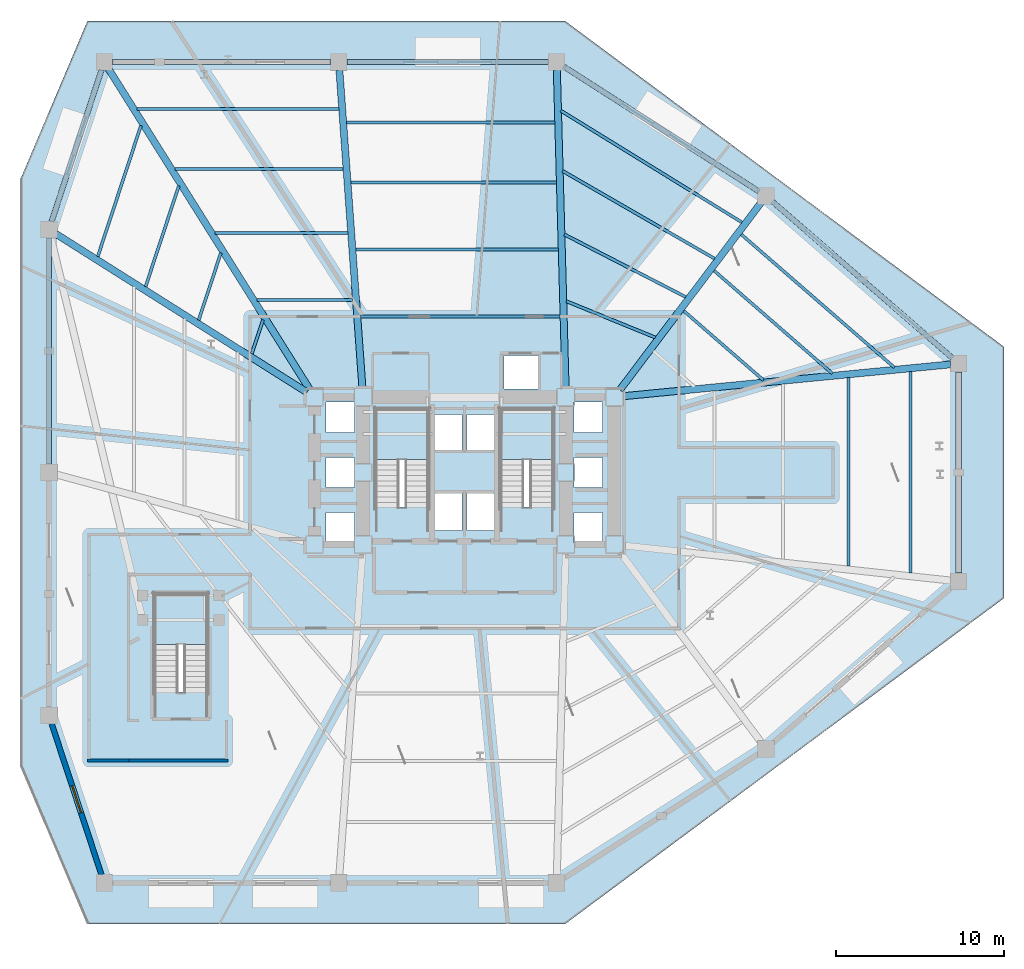
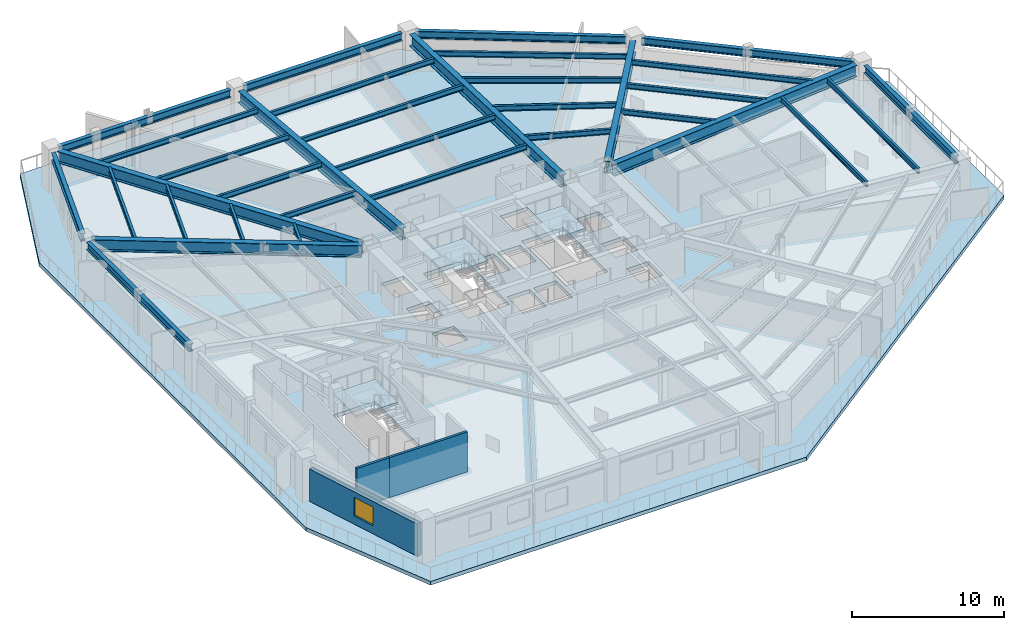
# One storey, part 2 of 10: 34 beams, 4 slabs, 3 walls, 1 window, 1 opening, 3 elements without a shape of their own.
"""IFC4 building model written with IfcOpenShell, lengths in metres."""

import ifcopenshell
import ifcopenshell.guid

model = None  # the IFC model being written
_history = None  # IfcOwnerHistory: only IFC2X3 demands one
_inside = {}  # id of a spatial element -> (the spatial element, [elements in it])
_under = {}  # id of a project, library or spatial element -> (it, [spatial elements below it])
_declared = {}  # id of a project -> (the project, [libraries it declares])
_typed = {}  # id of a type object -> (the type object, [elements of that type])
_made_of = {}  # id of a material, layer set ... -> (it, [elements and type objects made of it])


def new_model(schema):
    """Start an empty IFC model of exactly this schema.

    Asked for "IFC4X3", IfcOpenShell would pick the latest addendum, in which some entities
    have other attributes; the version numbers below select the first issue.
    IFC2X3 requires an IfcOwnerHistory on every rooted entity: one is made here for all.
    """
    global model, _history
    if schema == "IFC4X3":
        model = ifcopenshell.file(schema_version=(4, 3, 0, 0))
    else:
        model = ifcopenshell.file(schema=schema)
    _inside.clear()
    _under.clear()
    _declared.clear()
    _typed.clear()
    _made_of.clear()
    _history = None
    if model.schema == "IFC2X3":
        org = make("IfcOrganization", Name="unknown")
        user = make(
            "IfcPersonAndOrganization",
            ThePerson=make("IfcPerson", FamilyName="unknown"),
            TheOrganization=org,
        )
        app = make(
            "IfcApplication",
            ApplicationDeveloper=org,
            Version="unknown",
            ApplicationFullName="unknown",
            ApplicationIdentifier="unknown",
        )
        _history = make(
            "IfcOwnerHistory",
            OwningUser=user,
            OwningApplication=app,
            ChangeAction="ADDED",
            CreationDate=0,
        )
    return model


def make(cls, **values):
    """One entity of the class cls with the attributes given. An attribute that is None is left unset."""
    return model.create_entity(
        cls, **{name: value for name, value in values.items() if value is not None}
    )


def rooted(cls, **values):
    """An entity with a GlobalId (a new one), such as an element, a storey or a relation."""
    return make(cls, GlobalId=ifcopenshell.guid.new(), OwnerHistory=_history, **values)


def si_unit(unit_type, name, prefix=None):
    """IfcSIUnit, for example si_unit("LENGTHUNIT", "METRE", prefix="MILLI")."""
    return make("IfcSIUnit", UnitType=unit_type, Prefix=prefix, Name=name)


def assignment(units):
    """IfcUnitAssignment: the units of a project."""
    return None if units is None else make("IfcUnitAssignment", Units=units)


def point(xyz):
    """IfcCartesianPoint."""
    return None if xyz is None else make("IfcCartesianPoint", Coordinates=xyz)


def direction(xyz):
    """IfcDirection."""
    return None if xyz is None else make("IfcDirection", DirectionRatios=xyz)


def frame(location, z_axis=None, x_axis=None):
    """IfcAxis2Placement3D, a coordinate frame: its origin and axes. An axis left out is left unset."""
    return make(
        "IfcAxis2Placement3D",
        Location=point(location),
        Axis=direction(z_axis),
        RefDirection=direction(x_axis),
    )


def frame_2d(location, x_axis=None):
    """IfcAxis2Placement2D, a coordinate frame in the plane: its origin and x axis."""
    return make(
        "IfcAxis2Placement2D", Location=point(location), RefDirection=direction(x_axis)
    )


def origin():
    """The frame at (0, 0, 0) with its axes left unset."""
    return frame((0.0, 0.0, 0.0))


def origin_2d():
    """The frame at (0, 0) in the plane with its x axis left unset."""
    return frame_2d((0.0, 0.0))


def place(relative_to, where):
    """IfcLocalPlacement: puts the frame where relative to a parent placement (None: the world)."""
    return make(
        "IfcLocalPlacement", PlacementRelTo=relative_to, RelativePlacement=where
    )


def context(
    kind, dimensions, precision=None, world=None, true_north=None, identifier=None
):
    """IfcGeometricRepresentationContext, for example the 3D "Model" context."""
    return make(
        "IfcGeometricRepresentationContext",
        ContextIdentifier=identifier,
        ContextType=kind,
        CoordinateSpaceDimension=dimensions,
        Precision=precision,
        WorldCoordinateSystem=world,
        TrueNorth=true_north,
    )


def subcontext(parent, identifier, kind, view, scale=None):
    """IfcGeometricRepresentationSubContext, for example "Body" below "Model"."""
    return make(
        "IfcGeometricRepresentationSubContext",
        ContextIdentifier=identifier,
        ContextType=kind,
        ParentContext=parent,
        TargetScale=scale,
        TargetView=view,
    )


def project(units=None, contexts=None):
    """IfcProject with its units and contexts."""
    return rooted(
        "IfcProject",
        Name="project",
        RepresentationContexts=contexts,
        UnitsInContext=assignment(units),
    )


def spatial(cls, under=None, at=None, **own):
    """A site, building, storey or space (cls), placed at a placement, below another one or the project."""
    s = rooted(cls, ObjectPlacement=at, **own)
    if under is not None:
        _under.setdefault(under.id(), (under, []))[1].append(s)
    return s


def polyline(points):
    """IfcPolyline through the points."""
    return make("IfcPolyline", Points=[point(p) for p in points])


def profile(cls, at=None, kind="AREA", **sizes):
    """A parametric profile (cls). Its sizes go by their IFC names, for example OverallWidth=200.0."""
    return make(cls, ProfileType=kind, Position=at, **sizes)


def rectangle(**sizes):
    """IfcRectangleProfileDef."""
    return profile("IfcRectangleProfileDef", **sizes)


def i_section(**sizes):
    """IfcIShapeProfileDef."""
    return profile("IfcIShapeProfileDef", **sizes)


def outline(outer, holes=None, kind="AREA"):
    """IfcArbitraryClosedProfileDef: a profile drawn as a closed curve; with holes, ...WithVoids."""
    if holes is None:
        return make("IfcArbitraryClosedProfileDef", ProfileType=kind, OuterCurve=outer)
    return make(
        "IfcArbitraryProfileDefWithVoids",
        ProfileType=kind,
        OuterCurve=outer,
        InnerCurves=holes,
    )


def extrude(swept, where, along, depth):
    """IfcExtrudedAreaSolid: the profile swept, set in the frame where, extruded along a direction by depth."""
    return make(
        "IfcExtrudedAreaSolid",
        SweptArea=swept,
        Position=where,
        ExtrudedDirection=direction(along),
        Depth=depth,
    )


def shape(context_of_items, identifier, shape_type, items):
    """IfcShapeRepresentation: the items that make up one representation, for example the "Body"."""
    return make(
        "IfcShapeRepresentation",
        ContextOfItems=context_of_items,
        RepresentationIdentifier=identifier,
        RepresentationType=shape_type,
        Items=items,
    )


def material(Name=None, Category=None):
    """IfcMaterial."""
    return make("IfcMaterial", Name=Name, Category=Category)


def layer(
    of_material, thickness, ventilated=None, Name=None, Category=None, Priority=None
):
    """IfcMaterialLayer: one layer of a wall or slab, of a material (None: an air gap)."""
    return make(
        "IfcMaterialLayer",
        Material=of_material,
        LayerThickness=thickness,
        IsVentilated=ventilated,
        Name=Name,
        Category=Category,
        Priority=Priority,
    )


def layer_set(layers, Name=None):
    """IfcMaterialLayerSet."""
    return make("IfcMaterialLayerSet", MaterialLayers=layers, LayerSetName=Name)


def material_profile(
    of_material, cross_section, Name=None, Category=None, Priority=None
):
    """IfcMaterialProfile: a cross section and its material."""
    return make(
        "IfcMaterialProfile",
        Name=Name,
        Material=of_material,
        Profile=cross_section,
        Priority=Priority,
        Category=Category,
    )


def profile_set(profiles, Name=None, composite=None):
    """IfcMaterialProfileSet."""
    return make(
        "IfcMaterialProfileSet",
        Name=Name,
        MaterialProfiles=profiles,
        CompositeProfile=composite,
    )


def made_of(thing, what):
    """Note that an element or type object is made of a material, layer set ...; save() writes the relation."""
    if what is not None:
        _made_of.setdefault(what.id(), (what, []))[1].append(thing)
    return thing


def type_object(cls, material=None, **own):
    """A type object (cls), such as IfcWallType, which elements share."""
    return made_of(rooted(cls, **own), material)


def element(
    cls,
    number,
    at=None,
    inside=None,
    cuts=None,
    type_object=None,
    material=None,
    context=None,
    identifier="Body",
    shape_type=None,
    held_by="IfcProductDefinitionShape",
    body=None,
    shapes=None,
    **own,
):
    """One element of the class cls, such as IfcWall. Its Tag is "e" and its number.

    at: its placement. inside: the storey or other place that contains it. cuts: it is an
    opening in that element (IfcRelVoidsElement). A single representation is given by context,
    identifier, shape_type and body (its items); several are given by shapes. held_by: the class
    of the entity that holds the representations. save() writes the other relations.
    """
    e = rooted(cls, Tag="e%d" % number, ObjectPlacement=at, **own)
    if body is not None:
        shapes = [shape(context, identifier, shape_type, body)]
    if shapes is not None:
        e.Representation = make(held_by, Representations=shapes)
    if inside is not None:
        _inside.setdefault(inside.id(), (inside, []))[1].append(e)
    if cuts is not None:
        rooted(
            "IfcRelVoidsElement", RelatingBuildingElement=cuts, RelatedOpeningElement=e
        )
    if type_object is not None:
        _typed.setdefault(type_object.id(), (type_object, []))[1].append(e)
    return made_of(e, material)


def fill(opening, filler):
    """IfcRelFillsElement: the door or window that sits in an opening."""
    return rooted(
        "IfcRelFillsElement",
        RelatingOpeningElement=opening,
        RelatedBuildingElement=filler,
    )


def aggregate(whole, parts):
    """IfcRelAggregates: a whole, such as a stair, and the parts it consists of."""
    return rooted("IfcRelAggregates", RelatingObject=whole, RelatedObjects=parts)


def save(model, path):
    """Write the relations noted so far, then the file.

    IfcRelAggregates (storeys below a building ...), IfcRelContainedInSpatialStructure (elements
    in a storey), IfcRelDefinesByType, IfcRelAssociatesMaterial and IfcRelDeclares: one each for
    every whole, place, type object, material and project.
    """
    for whole, parts in _under.values():
        aggregate(whole, parts)
    for where, things in _inside.values():
        rooted(
            "IfcRelContainedInSpatialStructure",
            RelatedElements=things,
            RelatingStructure=where,
        )
    for kind, things in _typed.values():
        rooted("IfcRelDefinesByType", RelatedObjects=things, RelatingType=kind)
    for what, things in _made_of.values():
        rooted("IfcRelAssociatesMaterial", RelatedObjects=things, RelatingMaterial=what)
    for by, libraries in _declared.values():
        rooted("IfcRelDeclares", RelatingContext=by, RelatedDefinitions=libraries)
    model.write(path)


model = new_model("IFC4")

# Units and contexts
model_context = context("Model", 3, precision=1e-05, world=origin(), true_north=direction((0.0, 1.0)))
body_context = subcontext(model_context, "Body", "Model", "MODEL_VIEW")
ifc_project = project(units=[si_unit("LENGTHUNIT", "METRE"), si_unit("AREAUNIT", "SQUARE_METRE"), si_unit("VOLUMEUNIT", "CUBIC_METRE"), si_unit("PLANEANGLEUNIT", "RADIAN"), si_unit("MASSUNIT", "GRAM", prefix="KILO")], contexts=[model_context])

# Site, building, storey
site_placement = place(None, origin())
site = spatial("IfcSite", under=ifc_project, at=site_placement, CompositionType="ELEMENT")
building_placement = place(site_placement, origin())
building = spatial("IfcBuilding", under=site, at=building_placement, Name="Rocaltana Carrier Exchange", CompositionType="ELEMENT")
storey_placement = place(building_placement, frame((0.0, 0.0, 4.800048828125)))
storey = spatial("IfcBuildingStorey", under=building, at=storey_placement, Name="L02", CompositionType="ELEMENT", Elevation=4.800048828125)

# Beams
ifc_material_1 = material(Name="Steel S355", Category="steel")
ifc_material_profile_1 = material_profile(ifc_material_1, i_section(OverallWidth=0.179931640625, OverallDepth=0.4130859375, WebThickness=0.009765625, FlangeThickness=0.01611328125, FilletRadius=0.012939453125, at=origin_2d()), Name="W16X50")
ifc_profile_set_1 = profile_set([ifc_material_profile_1], Name="Steel S355")
beam_type_1 = type_object("IfcBeamType", Name="Floor Joist W16X50", PredefinedType="JOIST", material=ifc_profile_set_1)
beam_1_placement = place(storey_placement, frame((22.924072265625, -5.593017578125, 3.011474609375), z_axis=(0.0, 1.0, 0.0), x_axis=(-1.0, 0.0, 0.0)))
element("IfcBeam", 1, at=beam_1_placement, inside=storey, type_object=beam_type_1, Name="FJ-POD-04-3-L02", PredefinedType="JOIST", context=body_context, shape_type="SweptSolid", body=[
    extrude(i_section(OverallWidth=0.179931640625, OverallDepth=0.4130859375, WebThickness=0.009765625, FlangeThickness=0.01611328125, FilletRadius=0.012939453125, at=origin_2d()), origin(), (0.0, 0.0, 1.0), 11.25),
])
beam_2_placement = place(storey_placement, frame((26.623046875, -5.989013671875, 3.011474609375), z_axis=(0.0, 1.0, 0.0), x_axis=(-1.0, 0.0, 0.0)))
element("IfcBeam", 2, at=beam_2_placement, inside=storey, type_object=beam_type_1, Name="FJ-POD-04-4-L02", PredefinedType="JOIST", context=body_context, shape_type="SweptSolid", body=[
    extrude(i_section(OverallWidth=0.179931640625, OverallDepth=0.4130859375, WebThickness=0.009765625, FlangeThickness=0.01611328125, FilletRadius=0.012939453125, at=origin_2d()), origin(), (0.0, 0.0, 1.0), 12.006103515625),
])
beam_3_placement = place(storey_placement, frame((17.8388671875, 5.51318359375, 3.011474609375), z_axis=(-0.754611362598, 0.656171998364, 0.0), x_axis=(-0.656171998364, -0.754611362598, 0.0)))
element("IfcBeam", 3, at=beam_3_placement, inside=storey, type_object=beam_type_1, Name="FJ-POD-05-2-L02", PredefinedType="JOIST", context=body_context, shape_type="SweptSolid", body=[
    extrude(i_section(OverallWidth=0.179931640625, OverallDepth=0.4130859375, WebThickness=0.009765625, FlangeThickness=0.01611328125, FilletRadius=0.012939453125, at=origin_2d()), origin(), (0.0, 0.0, 1.0), 6.299560546875),
])
beam_4_placement = place(storey_placement, frame((21.94873046875, 5.9130859375, 3.011474609375), z_axis=(-0.75458752856, 0.656199406996, 0.0), x_axis=(-0.656199406996, -0.75458752856, 0.0)))
element("IfcBeam", 4, at=beam_4_placement, inside=storey, type_object=beam_type_1, Name="FJ-POD-05-3-L02", PredefinedType="JOIST", context=body_context, shape_type="SweptSolid", body=[
    extrude(i_section(OverallWidth=0.179931640625, OverallDepth=0.4130859375, WebThickness=0.009765625, FlangeThickness=0.01611328125, FilletRadius=0.012939453125, at=origin_2d()), origin(), (0.0, 0.0, 1.0), 9.347412109375),
])
beam_5_placement = place(storey_placement, frame((25.647705078125, 6.273193359375, 3.011474609375), z_axis=(-0.754602044397, 0.656182714335, 0.0), x_axis=(-0.656182714335, -0.754602044397, 0.0)))
element("IfcBeam", 5, at=beam_5_placement, inside=storey, type_object=beam_type_1, Name="FJ-POD-05-4-L02", PredefinedType="JOIST", context=body_context, shape_type="SweptSolid", body=[
    extrude(i_section(OverallWidth=0.179931640625, OverallDepth=0.4130859375, WebThickness=0.009765625, FlangeThickness=0.01611328125, FilletRadius=0.012939453125, at=origin_2d()), origin(), (0.0, 0.0, 1.0), 12.090576171875),
])
beam_6_placement = place(storey_placement, frame((11.38671875, 8.056640625, 3.011474609375), z_axis=(-0.925843082985, 0.377908170974, 0.0), x_axis=(-0.377908170974, -0.925843082985, 0.0)))
element("IfcBeam", 6, at=beam_6_placement, inside=storey, type_object=beam_type_1, Name="FJ-POD-06-1-L02", PredefinedType="JOIST", context=body_context, shape_type="SweptSolid", body=[
    extrude(i_section(OverallWidth=0.179931640625, OverallDepth=0.4130859375, WebThickness=0.009765625, FlangeThickness=0.01611328125, FilletRadius=0.012939453125, at=origin_2d()), origin(), (0.0, 0.0, 1.0), 5.733642578125),
])
beam_7_placement = place(storey_placement, frame((13.2041015625, 10.472900390625, 3.011474609375), z_axis=(-0.888834436329, 0.45822848536, 0.0), x_axis=(-0.45822848536, -0.888834436329, 0.0)))
element("IfcBeam", 7, at=beam_7_placement, inside=storey, type_object=beam_type_1, Name="FJ-POD-06-2-L02", PredefinedType="JOIST", context=body_context, shape_type="SweptSolid", body=[
    extrude(i_section(OverallWidth=0.179931640625, OverallDepth=0.4130859375, WebThickness=0.009765625, FlangeThickness=0.01611328125, FilletRadius=0.012939453125, at=origin_2d()), origin(), (0.0, 0.0, 1.0), 8.149169921875),
])
beam_8_placement = place(storey_placement, frame((14.92822265625, 12.761474609375, 3.011474609375), z_axis=(-0.866158045768, 0.499770186937, 0.0), x_axis=(-0.499770186937, -0.866158045768, 0.0)))
element("IfcBeam", 8, at=beam_8_placement, inside=storey, type_object=beam_type_1, Name="FJ-POD-06-3-L02", PredefinedType="JOIST", context=body_context, shape_type="SweptSolid", body=[
    extrude(i_section(OverallWidth=0.179931640625, OverallDepth=0.4130859375, WebThickness=0.009765625, FlangeThickness=0.01611328125, FilletRadius=0.012939453125, at=origin_2d()), origin(), (0.0, 0.0, 1.0), 10.47900390625),
])
beam_9_placement = place(storey_placement, frame((16.560302734375, 14.926513671875, 3.011474609375), z_axis=(-0.851153693572, 0.524916555196, 0.0), x_axis=(-0.524916555196, -0.851153693572, 0.0)))
element("IfcBeam", 9, at=beam_9_placement, inside=storey, type_object=beam_type_1, Name="FJ-POD-06-4-L02", PredefinedType="JOIST", context=body_context, shape_type="SweptSolid", body=[
    extrude(i_section(OverallWidth=0.179931640625, OverallDepth=0.4130859375, WebThickness=0.009765625, FlangeThickness=0.01611328125, FilletRadius=0.012939453125, at=origin_2d()), origin(), (0.0, 0.0, 1.0), 12.701171875),
])
beam_10_placement = place(storey_placement, frame((5.715087890625, 9.300048828125, 3.011474609375), z_axis=(-1.0, 0.0, 0.0), x_axis=(0.0, -1.0, 0.0)))
element("IfcBeam", 10, at=beam_10_placement, inside=storey, type_object=beam_type_1, Name="FJ-POD-07-1-L02", PredefinedType="JOIST", context=body_context, shape_type="SweptSolid", body=[
    extrude(i_section(OverallWidth=0.179931640625, OverallDepth=0.4130859375, WebThickness=0.009765625, FlangeThickness=0.01611328125, FilletRadius=0.012939453125, at=origin_2d()), origin(), (0.0, 0.0, 1.0), 11.91015625),
])
beam_11_placement = place(storey_placement, frame((5.60498046875, 13.300048828125, 3.011474609375), z_axis=(-1.0, 0.0, 0.0), x_axis=(0.0, -1.0, 0.0)))
element("IfcBeam", 11, at=beam_11_placement, inside=storey, type_object=beam_type_1, Name="FJ-POD-07-2-L02", PredefinedType="JOIST", context=body_context, shape_type="SweptSolid", body=[
    extrude(i_section(OverallWidth=0.179931640625, OverallDepth=0.4130859375, WebThickness=0.009765625, FlangeThickness=0.01611328125, FilletRadius=0.012939453125, at=origin_2d()), origin(), (0.0, 0.0, 1.0), 12.090087890625),
])
beam_12_placement = place(storey_placement, frame((5.4951171875, 17.300048828125, 3.011474609375), z_axis=(-1.0, 0.0, 0.0), x_axis=(0.0, -1.0, 0.0)))
element("IfcBeam", 12, at=beam_12_placement, inside=storey, type_object=beam_type_1, Name="FJ-POD-07-3-L02", PredefinedType="JOIST", context=body_context, shape_type="SweptSolid", body=[
    extrude(i_section(OverallWidth=0.179931640625, OverallDepth=0.4130859375, WebThickness=0.009765625, FlangeThickness=0.01611328125, FilletRadius=0.012939453125, at=origin_2d()), origin(), (0.0, 0.0, 1.0), 12.27001953125),
])
beam_13_placement = place(storey_placement, frame((5.39599609375, 20.89990234375, 3.011474609375), z_axis=(-1.0, 0.0, 0.0), x_axis=(0.0, -1.0, 0.0)))
element("IfcBeam", 13, at=beam_13_placement, inside=storey, type_object=beam_type_1, Name="FJ-POD-07-4-L02", PredefinedType="JOIST", context=body_context, shape_type="SweptSolid", body=[
    extrude(i_section(OverallWidth=0.179931640625, OverallDepth=0.4130859375, WebThickness=0.009765625, FlangeThickness=0.01611328125, FilletRadius=0.012939453125, at=origin_2d()), origin(), (0.0, 0.0, 1.0), 12.431884765625),
])
beam_14_placement = place(storey_placement, frame((-6.673583984375, 10.300048828125, 3.011474609375), z_axis=(-1.0, 0.0, 0.0), x_axis=(0.0, -1.0, 0.0)))
element("IfcBeam", 14, at=beam_14_placement, inside=storey, type_object=beam_type_1, Name="FJ-POD-08-1-L02", PredefinedType="JOIST", context=body_context, shape_type="SweptSolid", body=[
    extrude(i_section(OverallWidth=0.179931640625, OverallDepth=0.4130859375, WebThickness=0.009765625, FlangeThickness=0.01611328125, FilletRadius=0.012939453125, at=origin_2d()), origin(), (0.0, 0.0, 1.0), 5.712890625),
])
beam_15_placement = place(storey_placement, frame((-6.96337890625, 14.300048828125, 3.011474609375), z_axis=(-1.0, 0.0, 0.0), x_axis=(0.0, -1.0, 0.0)))
element("IfcBeam", 15, at=beam_15_placement, inside=storey, type_object=beam_type_1, Name="FJ-POD-08-2-L02", PredefinedType="JOIST", context=body_context, shape_type="SweptSolid", body=[
    extrude(i_section(OverallWidth=0.179931640625, OverallDepth=0.4130859375, WebThickness=0.009765625, FlangeThickness=0.01611328125, FilletRadius=0.012939453125, at=origin_2d()), origin(), (0.0, 0.0, 1.0), 7.93310546875),
])
beam_16_placement = place(storey_placement, frame((-7.239013671875, 18.10009765625, 3.011474609375), z_axis=(-1.0, 0.0, 0.0), x_axis=(0.0, -1.0, 0.0)))
element("IfcBeam", 16, at=beam_16_placement, inside=storey, type_object=beam_type_1, Name="FJ-POD-08-3-L02", PredefinedType="JOIST", context=body_context, shape_type="SweptSolid", body=[
    extrude(i_section(OverallWidth=0.179931640625, OverallDepth=0.4130859375, WebThickness=0.009765625, FlangeThickness=0.01611328125, FilletRadius=0.012939453125, at=origin_2d()), origin(), (0.0, 0.0, 1.0), 10.0419921875),
])
beam_17_placement = place(storey_placement, frame((-7.5, 21.699951171875, 3.011474609375), z_axis=(-1.0, 0.0, 0.0), x_axis=(0.0, -1.0, 0.0)))
element("IfcBeam", 17, at=beam_17_placement, inside=storey, type_object=beam_type_1, Name="FJ-POD-08-4-L02", PredefinedType="JOIST", context=body_context, shape_type="SweptSolid", body=[
    extrude(i_section(OverallWidth=0.179931640625, OverallDepth=0.4130859375, WebThickness=0.009765625, FlangeThickness=0.01611328125, FilletRadius=0.012939453125, at=origin_2d()), origin(), (0.0, 0.0, 1.0), 12.0400390625),
])
beam_18_placement = place(storey_placement, frame((-12.025634765625, 9.107177734375, 3.011474609375), z_axis=(-0.313395098314, -0.949622826365, 0.0), x_axis=(0.949622826365, -0.313395098314, 0.0)))
element("IfcBeam", 18, at=beam_18_placement, inside=storey, type_object=beam_type_1, Name="FJ-POD-09-1-L02", PredefinedType="JOIST", context=body_context, shape_type="SweptSolid", body=[
    extrude(i_section(OverallWidth=0.179931640625, OverallDepth=0.4130859375, WebThickness=0.009765625, FlangeThickness=0.01611328125, FilletRadius=0.012939453125, at=origin_2d()), origin(), (0.0, 0.0, 1.0), 2.121337890625),
])
beam_19_placement = place(storey_placement, frame((-14.53564453125, 13.107177734375, 3.011474609375), z_axis=(-0.313367558739, -0.949631914549, 0.0), x_axis=(0.949631914549, -0.313367558739, 0.0)))
element("IfcBeam", 19, at=beam_19_placement, inside=storey, type_object=beam_type_1, Name="FJ-POD-09-2-L02", PredefinedType="JOIST", context=body_context, shape_type="SweptSolid", body=[
    extrude(i_section(OverallWidth=0.179931640625, OverallDepth=0.4130859375, WebThickness=0.009765625, FlangeThickness=0.01611328125, FilletRadius=0.012939453125, at=origin_2d()), origin(), (0.0, 0.0, 1.0), 4.227294921875),
])
beam_20_placement = place(storey_placement, frame((-17.045654296875, 17.107177734375, 3.011474609375), z_axis=(-0.313393097124, -0.949623486796, 0.0), x_axis=(0.949623486796, -0.313393097124, 0.0)))
element("IfcBeam", 20, at=beam_20_placement, inside=storey, type_object=beam_type_1, Name="FJ-POD-09-3-L02", PredefinedType="JOIST", context=body_context, shape_type="SweptSolid", body=[
    extrude(i_section(OverallWidth=0.179931640625, OverallDepth=0.4130859375, WebThickness=0.009765625, FlangeThickness=0.01611328125, FilletRadius=0.012939453125, at=origin_2d()), origin(), (0.0, 0.0, 1.0), 6.33349609375),
])
beam_21_placement = place(storey_placement, frame((-19.3046875, 20.707275390625, 3.011474609375), z_axis=(-0.313360330933, -0.949634299611, 0.0), x_axis=(0.949634299611, -0.313360330933, 0.0)))
element("IfcBeam", 21, at=beam_21_placement, inside=storey, type_object=beam_type_1, Name="FJ-POD-09-4-L02", PredefinedType="JOIST", context=body_context, shape_type="SweptSolid", body=[
    extrude(i_section(OverallWidth=0.179931640625, OverallDepth=0.4130859375, WebThickness=0.009765625, FlangeThickness=0.01611328125, FilletRadius=0.012939453125, at=origin_2d()), origin(), (0.0, 0.0, 1.0), 8.22900390625),
])
ifc_material_2 = material(Name="Steel S355", Category="steel")
ifc_material_profile_2 = material_profile(ifc_material_2, i_section(OverallWidth=0.41796875, OverallDepth=0.927001953125, WebThickness=0.019287109375, FlangeThickness=0.031982421875, FilletRadius=0.02197265625, at=origin_2d()), Name="W36X231")
ifc_profile_set_2 = profile_set([ifc_material_profile_2], Name="Steel S355")
beam_type_2 = type_object("IfcBeamType", Name="Heavy Floor Girder W36X231", PredefinedType="BEAM", material=ifc_profile_set_2)
beam_22_placement = place(storey_placement, frame((9.489501953125, 4.552490234375, 2.75439453125), z_axis=(0.995297082443, 0.0968695911, 0.0), x_axis=(-0.0968695911, 0.995297082443, 0.0)))
element("IfcBeam", 22, at=beam_22_placement, inside=storey, type_object=beam_type_2, Name="BM-PODG-06-L02", PredefinedType="BEAM", context=body_context, shape_type="SweptSolid", body=[
    extrude(i_section(OverallWidth=0.41796875, OverallDepth=0.927001953125, WebThickness=0.019287109375, FlangeThickness=0.031982421875, FilletRadius=0.02197265625, at=origin_2d()), origin(), (0.0, 0.0, 1.0), 19.613037109375),
])
beam_23_placement = place(storey_placement, frame((9.2763671875, 4.9326171875, 2.75439453125), z_axis=(0.602127359797, 0.798400051718, 0.0), x_axis=(-0.798400051718, 0.602127359797, 0.0)))
element("IfcBeam", 23, at=beam_23_placement, inside=storey, type_object=beam_type_2, Name="BM-PODG-07-L02", PredefinedType="BEAM", context=body_context, shape_type="SweptSolid", body=[
    extrude(i_section(OverallWidth=0.41796875, OverallDepth=0.927001953125, WebThickness=0.019287109375, FlangeThickness=0.031982421875, FilletRadius=0.02197265625, at=origin_2d()), origin(), (0.0, 0.0, 1.0), 13.99609375),
])
beam_24_placement = place(storey_placement, frame((6.03515625, 5.041748046875, 2.75439453125), z_axis=(-0.027497418433, 0.9996218745, 0.0), x_axis=(-0.9996218745, -0.027497418433, 0.0)))
element("IfcBeam", 24, at=beam_24_placement, inside=storey, type_object=beam_type_2, Name="BM-PODG-08-L02", PredefinedType="BEAM", context=body_context, shape_type="SweptSolid", body=[
    extrude(i_section(OverallWidth=0.41796875, OverallDepth=0.927001953125, WebThickness=0.019287109375, FlangeThickness=0.031982421875, FilletRadius=0.02197265625, at=origin_2d()), origin(), (0.0, 0.0, 1.0), 18.9736328125),
])
beam_25_placement = place(storey_placement, frame((-6.089111328125, 5.04052734375, 2.75439453125), z_axis=(-0.072310719598, 0.997382153355, 0.0), x_axis=(-0.997382153355, -0.072310719598, 0.0)))
element("IfcBeam", 25, at=beam_25_placement, inside=storey, type_object=beam_type_2, Name="BM-PODG-09-L02", PredefinedType="BEAM", context=body_context, shape_type="SweptSolid", body=[
    extrude(i_section(OverallWidth=0.41796875, OverallDepth=0.927001953125, WebThickness=0.019287109375, FlangeThickness=0.031982421875, FilletRadius=0.02197265625, at=origin_2d()), origin(), (0.0, 0.0, 1.0), 19.0185546875),
])
beam_26_placement = place(storey_placement, frame((-9.238037109375, 4.958984375, 2.75439453125), z_axis=(-0.531521193094, 0.847044993665, 0.0), x_axis=(-0.847044993665, -0.531521193094, 0.0)))
element("IfcBeam", 26, at=beam_26_placement, inside=storey, type_object=beam_type_2, Name="BM-PODG-10-L02", PredefinedType="BEAM", context=body_context, shape_type="SweptSolid", body=[
    extrude(i_section(OverallWidth=0.41796875, OverallDepth=0.927001953125, WebThickness=0.019287109375, FlangeThickness=0.031982421875, FilletRadius=0.02197265625, at=origin_2d()), origin(), (0.0, 0.0, 1.0), 22.57763671875),
])
beam_27_placement = place(storey_placement, frame((-9.408447265625, 4.789306640625, 2.75439453125), z_axis=(-0.845740432833, 0.533594527962, 0.0), x_axis=(-0.533594527962, -0.845740432833, 0.0)))
element("IfcBeam", 27, at=beam_27_placement, inside=storey, type_object=beam_type_2, Name="BM-PODG-11-L02", PredefinedType="BEAM", context=body_context, shape_type="SweptSolid", body=[
    extrude(i_section(OverallWidth=0.41796875, OverallDepth=0.927001953125, WebThickness=0.019287109375, FlangeThickness=0.031982421875, FilletRadius=0.02197265625, at=origin_2d()), origin(), (0.0, 0.0, 1.0), 17.706787109375),
])
ifc_material_3 = material(Name="Steel S355", Category="steel")
ifc_material_profile_3 = material_profile(ifc_material_3, i_section(OverallWidth=0.300048828125, OverallDepth=0.60009765625, WebThickness=0.015380859375, FlangeThickness=0.030029296875, FilletRadius=0.027099609375, at=origin_2d()), Name="HEB600")
ifc_profile_set_3 = profile_set([ifc_material_profile_3], Name="Steel S355")
beam_type_3 = type_object("IfcBeamType", Name="Spandrel Edge Beam HEB600", PredefinedType="SPANDREL", material=ifc_profile_set_3)
beam_28_placement = place(storey_placement, frame((29.5, -6.008056640625, 2.91796875), z_axis=(0.0, 1.0, 0.0), x_axis=(-1.0, 0.0, 0.0)))
element("IfcBeam", 28, at=beam_28_placement, inside=storey, type_object=beam_type_3, Name="BM-PODR-05-L02", PredefinedType="SPANDREL", context=body_context, shape_type="SweptSolid", body=[
    extrude(i_section(OverallWidth=0.300048828125, OverallDepth=0.60009765625, WebThickness=0.015380859375, FlangeThickness=0.030029296875, FilletRadius=0.027099609375, at=origin_2d()), origin(), (0.0, 0.0, 1.0), 12.01611328125),
])
beam_29_placement = place(storey_placement, frame((29.128662109375, 6.82275390625, 2.91796875), z_axis=(-0.754595198685, 0.656190586737, 0.0), x_axis=(-0.656190586737, -0.754595198685, 0.0)))
element("IfcBeam", 29, at=beam_29_placement, inside=storey, type_object=beam_type_3, Name="BM-PODR-06-L02", PredefinedType="SPANDREL", context=body_context, shape_type="SweptSolid", body=[
    extrude(i_section(OverallWidth=0.300048828125, OverallDepth=0.60009765625, WebThickness=0.015380859375, FlangeThickness=0.030029296875, FilletRadius=0.027099609375, at=origin_2d()), origin(), (0.0, 0.0, 1.0), 14.255859375),
])
beam_30_placement = place(storey_placement, frame((17.585693359375, 16.76513671875, 2.91796875), z_axis=(-0.842270120768, 0.539055696252, 0.0), x_axis=(-0.539055696252, -0.842270120768, 0.0)))
element("IfcBeam", 30, at=beam_30_placement, inside=storey, type_object=beam_type_3, Name="BM-PODR-07-L02", PredefinedType="SPANDREL", context=body_context, shape_type="SweptSolid", body=[
    extrude(i_section(OverallWidth=0.300048828125, OverallDepth=0.60009765625, WebThickness=0.015380859375, FlangeThickness=0.030029296875, FilletRadius=0.027099609375, at=origin_2d()), origin(), (0.0, 0.0, 1.0), 13.857177734375),
])
beam_31_placement = place(storey_placement, frame((5.008056640625, 24.5, 2.91796875), z_axis=(-1.0, 0.0, 0.0), x_axis=(0.0, -1.0, 0.0)))
element("IfcBeam", 31, at=beam_31_placement, inside=storey, type_object=beam_type_3, Name="BM-PODR-08-L02", PredefinedType="SPANDREL", context=body_context, shape_type="SweptSolid", body=[
    extrude(i_section(OverallWidth=0.300048828125, OverallDepth=0.60009765625, WebThickness=0.015380859375, FlangeThickness=0.030029296875, FilletRadius=0.027099609375, at=origin_2d()), origin(), (0.0, 0.0, 1.0), 12.01611328125),
])
beam_32_placement = place(storey_placement, frame((-7.991943359375, 24.5, 2.91796875), z_axis=(-1.0, 0.0, 0.0), x_axis=(0.0, -1.0, 0.0)))
element("IfcBeam", 32, at=beam_32_placement, inside=storey, type_object=beam_type_3, Name="BM-PODR-09-L02", PredefinedType="SPANDREL", context=body_context, shape_type="SweptSolid", body=[
    extrude(i_section(OverallWidth=0.300048828125, OverallDepth=0.60009765625, WebThickness=0.015380859375, FlangeThickness=0.030029296875, FilletRadius=0.027099609375, at=origin_2d()), origin(), (0.0, 0.0, 1.0), 13.01611328125),
])
beam_33_placement = place(storey_placement, frame((-21.654296875, 24.03271484375, 2.91796875), z_axis=(-0.313364538918, -0.94963291105, 0.0), x_axis=(0.94963291105, -0.313364538918, 0.0)))
element("IfcBeam", 33, at=beam_33_placement, inside=storey, type_object=beam_type_3, Name="BM-PODR-10-L02", PredefinedType="SPANDREL", context=body_context, shape_type="SweptSolid", body=[
    extrude(i_section(OverallWidth=0.300048828125, OverallDepth=0.60009765625, WebThickness=0.015380859375, FlangeThickness=0.030029296875, FilletRadius=0.027099609375, at=origin_2d()), origin(), (0.0, 0.0, 1.0), 9.546142578125),
])
beam_34_placement = place(storey_placement, frame((-24.800048828125, 14.008056640625, 2.91796875), z_axis=(0.0, -1.0, 0.0), x_axis=(1.0, 0.0, 0.0)))
element("IfcBeam", 34, at=beam_34_placement, inside=storey, type_object=beam_type_3, Name="BM-PODR-11-L02", PredefinedType="SPANDREL", context=body_context, shape_type="SweptSolid", body=[
    extrude(i_section(OverallWidth=0.300048828125, OverallDepth=0.60009765625, WebThickness=0.015380859375, FlangeThickness=0.030029296875, FilletRadius=0.027099609375, at=origin_2d()), origin(), (0.0, 0.0, 1.0), 13.51611328125),
])

# Slab
ifc_material_4 = material(Name="Concrete C60/75", Category="concrete")
ifc_layer_1 = layer(ifc_material_4, 0.300048828125)
ifc_layer_set_1 = layer_set([ifc_layer_1], Name="Concrete C60/75")
slab_type_1 = type_object("IfcSlabType", Name="Podium Floor Slab 300", PredefinedType="FLOOR", material=ifc_layer_set_1)
slab_1_placement = place(storey_placement, frame((0.0, 0.0, -0.300048828125)))
element("IfcSlab", 35, at=slab_1_placement, inside=storey, type_object=slab_type_1, Name="L02 Structural Floor Slab", PredefinedType="FLOOR", context=body_context, shape_type="SweptSolid", body=[
    extrude(outline(polyline([(-22.5, -26.949951171875), (6.0, -26.949951171875), (32.199951171875, -7.5), (32.199951171875, 7.5), (6.0, 26.949951171875), (-22.5, 26.949951171875), (-26.5, 17.5), (-26.5, -17.5), (-22.5, -26.949951171875)]), holes=[polyline([(-5.300048828125, -2.06005859375), (-2.139892578125, -2.06005859375), (-2.139892578125, 3.800048828125), (-5.300048828125, 3.800048828125), (-5.300048828125, -2.06005859375)]), polyline([(2.139892578125, -2.06005859375), (5.300048828125, -2.06005859375), (5.300048828125, 3.800048828125), (2.139892578125, 3.800048828125), (2.139892578125, -2.06005859375)]), polyline([(-18.5, -13.110107421875), (-15.340087890625, -13.110107421875), (-15.340087890625, -7.25), (-18.5, -7.25), (-18.5, -13.110107421875)]), polyline([(-1.85009765625, -3.449951171875), (-0.14990234375, -3.449951171875), (-0.14990234375, -1.25), (-1.85009765625, -1.25), (-1.85009765625, -3.449951171875)]), polyline([(0.14990234375, -3.449951171875), (1.85009765625, -3.449951171875), (1.85009765625, -1.25), (0.14990234375, -1.25), (0.14990234375, -3.449951171875)]), polyline([(2.35009765625, 4.97998046875), (4.39990234375, 4.97998046875), (4.39990234375, 6.97998046875), (2.35009765625, 6.97998046875), (2.35009765625, 4.97998046875)]), polyline([(-1.85009765625, 1.35009765625), (-0.14990234375, 1.35009765625), (-0.14990234375, 3.449951171875), (-1.85009765625, 3.449951171875), (-1.85009765625, 1.35009765625)]), polyline([(0.14990234375, 1.35009765625), (1.85009765625, 1.35009765625), (1.85009765625, 3.449951171875), (0.14990234375, 3.449951171875), (0.14990234375, 1.35009765625)]), polyline([(-8.25, -4.199951171875), (-6.550048828125, -4.199951171875), (-6.550048828125, -2.39990234375), (-8.25, -2.39990234375), (-8.25, -4.199951171875)]), polyline([(-8.25, -0.89990234375), (-6.550048828125, -0.89990234375), (-6.550048828125, 0.89990234375), (-8.25, 0.89990234375), (-8.25, -0.89990234375)]), polyline([(-8.25, 2.39990234375), (-6.550048828125, 2.39990234375), (-6.550048828125, 4.199951171875), (-8.25, 4.199951171875), (-8.25, 2.39990234375)]), polyline([(6.550048828125, -4.199951171875), (8.25, -4.199951171875), (8.25, -2.39990234375), (6.550048828125, -2.39990234375), (6.550048828125, -4.199951171875)]), polyline([(6.550048828125, -0.89990234375), (8.25, -0.89990234375), (8.25, 0.89990234375), (6.550048828125, 0.89990234375), (6.550048828125, -0.89990234375)]), polyline([(6.550048828125, 2.39990234375), (8.25, 2.39990234375), (8.25, 4.199951171875), (6.550048828125, 4.199951171875), (6.550048828125, 2.39990234375)])]), origin(), (0.0, 0.0, 1.0), 0.300048828125),
])

# Stair, slab
ifc_material_5 = material(Name="Precast concrete C45/55", Category="concrete")
stair_type = type_object("IfcStairType", Name="Standard Dog-Leg Stair 160", PredefinedType="HALF_TURN_STAIR", material=ifc_material_5)
stair_1_placement = place(storey_placement, origin())
stair_1 = element("IfcStair", 36, at=stair_1_placement, inside=storey, type_object=stair_type, Name="L02 Core West Exit Stair ST-1", PredefinedType="HALF_TURN_STAIR")
ifc_material_6 = material(Name="Precast concrete C45/55", Category="concrete")
ifc_layer_2 = layer(ifc_material_6, 0.199951171875)
ifc_layer_set_2 = layer_set([ifc_layer_2], Name="Precast concrete C45/55")
slab_type_2 = type_object("IfcSlabType", Name="Precast Stair Half-Landing 200", PredefinedType="LANDING", material=ifc_layer_set_2)
slab_2_placement = place(storey_placement, frame((0.0, 0.0, 1.56005859375)))
slab_2 = element("IfcSlab", 37, at=slab_2_placement, type_object=slab_type_2, Name="ST-1 landing 1", PredefinedType="LANDING", context=body_context, shape_type="SweptSolid", body=[
    extrude(outline(polyline([(-2.139892578125, 0.780029296875), (-2.139892578125, 3.800048828125), (-5.300048828125, 3.800048828125), (-5.300048828125, 0.780029296875), (-2.139892578125, 0.780029296875)])), origin(), (0.0, 0.0, 1.0), 0.199951171875),
])
aggregate(stair_1, [slab_2])

stair_2_placement = place(storey_placement, origin())
stair_2 = element("IfcStair", 38, at=stair_2_placement, inside=storey, type_object=stair_type, Name="L02 Core East Exit Stair ST-2", PredefinedType="HALF_TURN_STAIR")
slab_3_placement = place(storey_placement, frame((0.0, 0.0, 1.56005859375)))
slab_3 = element("IfcSlab", 39, at=slab_3_placement, type_object=slab_type_2, Name="ST-2 landing 1", PredefinedType="LANDING", context=body_context, shape_type="SweptSolid", body=[
    extrude(outline(polyline([(5.300048828125, 0.780029296875), (5.300048828125, 3.800048828125), (2.139892578125, 3.800048828125), (2.139892578125, 0.780029296875), (5.300048828125, 0.780029296875)])), origin(), (0.0, 0.0, 1.0), 0.199951171875),
])
aggregate(stair_2, [slab_3])

stair_3_placement = place(storey_placement, origin())
stair_3 = element("IfcStair", 40, at=stair_3_placement, inside=storey, type_object=stair_type, Name="L02 Podium Concourse Exit Stair ST-3", PredefinedType="HALF_TURN_STAIR")
slab_4_placement = place(storey_placement, frame((0.0, 0.0, 1.56005859375)))
slab_4 = element("IfcSlab", 41, at=slab_4_placement, type_object=slab_type_2, Name="ST-3 landing 1", PredefinedType="LANDING", context=body_context, shape_type="SweptSolid", body=[
    extrude(outline(polyline([(-15.340087890625, -10.27001953125), (-15.340087890625, -7.25), (-18.5, -7.25), (-18.5, -10.27001953125), (-15.340087890625, -10.27001953125)])), origin(), (0.0, 0.0, 1.0), 0.199951171875),
])
aggregate(stair_3, [slab_4])

# Walls
ifc_material_7 = material(Name="Gypsum & Steel Stud Partition", Category="steel")
ifc_layer_3 = layer(ifc_material_7, 0.179931640625)
ifc_layer_set_3 = layer_set([ifc_layer_3], Name="Gypsum & Steel Stud Partition")
wall_type_1 = type_object("IfcWallType", Name="Corridor Fire Partition 180 EI60", PredefinedType="PARTITIONING", material=ifc_layer_set_3)
wall_1_placement = place(storey_placement, frame((-20.030029296875, -17.199951171875, 0.0), z_axis=(0.0, 0.0, 1.0), x_axis=(-1.0, 0.0, 0.0)))
element("IfcWall", 42, at=wall_1_placement, inside=storey, type_object=wall_type_1, Name="L02 Corridor Partition 1", PredefinedType="PARTITIONING", context=body_context, shape_type="SweptSolid", body=[
    extrude(rectangle(XDim=2.4599609375, YDim=0.179931640625, at=frame_2d((1.22998046875, 0.0))), origin(), (0.0, 0.0, 1.0), 3.19287109375),
])
wall_2_placement = place(storey_placement, frame((-14.110107421875, -17.199951171875, 0.0), z_axis=(0.0, 0.0, 1.0), x_axis=(-1.0, 0.0, 0.0)))
element("IfcWall", 43, at=wall_2_placement, inside=storey, type_object=wall_type_1, Name="L02 Corridor Partition 20", PredefinedType="PARTITIONING", context=body_context, shape_type="SweptSolid", body=[
    extrude(rectangle(XDim=5.9599609375, YDim=0.179931640625, at=frame_2d((2.97998046875, 0.0))), origin(), (0.0, 0.0, 1.0), 3.19287109375),
])

# Wall, opening, window
ifc_material_8 = material(Name="Precast sandstone concrete C45/55", Category="masonry")
ifc_layer_4 = layer(ifc_material_8, 0.320068359375)
ifc_layer_set_4 = layer_set([ifc_layer_4], Name="Precast sandstone concrete C45/55")
wall_type_2 = type_object("IfcWallType", Name="Precast Sandstone Facade Wall 320", PredefinedType="SOLIDWALL", material=ifc_layer_set_4)
wall_3_placement = place(storey_placement, frame((-21.6630859375, -24.006103515625, 0.0), z_axis=(0.0, 0.0, 1.0), x_axis=(-0.313363070681, 0.949633395544, 0.0)))
wall_3 = element("IfcWall", 44, at=wall_3_placement, inside=storey, type_object=wall_type_2, Name="L02 Sandstone Facade Wall B13", PredefinedType="SOLIDWALL", context=body_context, shape_type="SweptSolid", body=[
    extrude(rectangle(XDim=9.490234375, YDim=0.320068359375, at=frame_2d((4.7451171875, 0.0))), origin(), (0.0, 0.0, 1.0), 2.587890625),
])
opening_placement = place(wall_3_placement, frame((3.895263671875, 0.0, 0.64990234375)))
opening = element("IfcOpeningElement", 45, at=opening_placement, cuts=wall_3, Name="Opening W-02", PredefinedType="OPENING", context=body_context, shape_type="SweptSolid", body=[
    extrude(rectangle(XDim=1.699951171875, YDim=1.5, at=frame_2d((0.85009765625, 0.75))), frame((0.0, 0.169921875, 0.0), z_axis=(0.0, -1.0, 0.0), x_axis=(1.0, 0.0, 0.0)), (0.0, 0.0, 1.0), 0.340087890625),
])
ifc_material_9 = material(Name="Aluminium 6063-T6 & Double Glazing", Category="aluminium")
window_type = type_object("IfcWindowType", Name="Podium Technical Window 1700x1500", PartitioningType="SINGLE_PANEL", PredefinedType="WINDOW", material=ifc_material_9)
window_placement = place(opening_placement, origin())
window = element("IfcWindow", 46, at=window_placement, inside=storey, type_object=window_type, Name="L02 Punched Window B13-1", OverallHeight=1.5, OverallWidth=1.699951171875, PartitioningType="SINGLE_PANEL", PredefinedType="WINDOW", context=body_context, shape_type="SweptSolid", body=[
    extrude(rectangle(XDim=1.699951171875, YDim=1.5, at=frame_2d((0.85009765625, 0.75))), frame((0.0, 0.030029296875, 0.0), z_axis=(0.0, -1.0, 0.0), x_axis=(1.0, 0.0, 0.0)), (0.0, 0.0, 1.0), 0.06005859375),
])
fill(opening, window)

save(model, "model.ifc")
